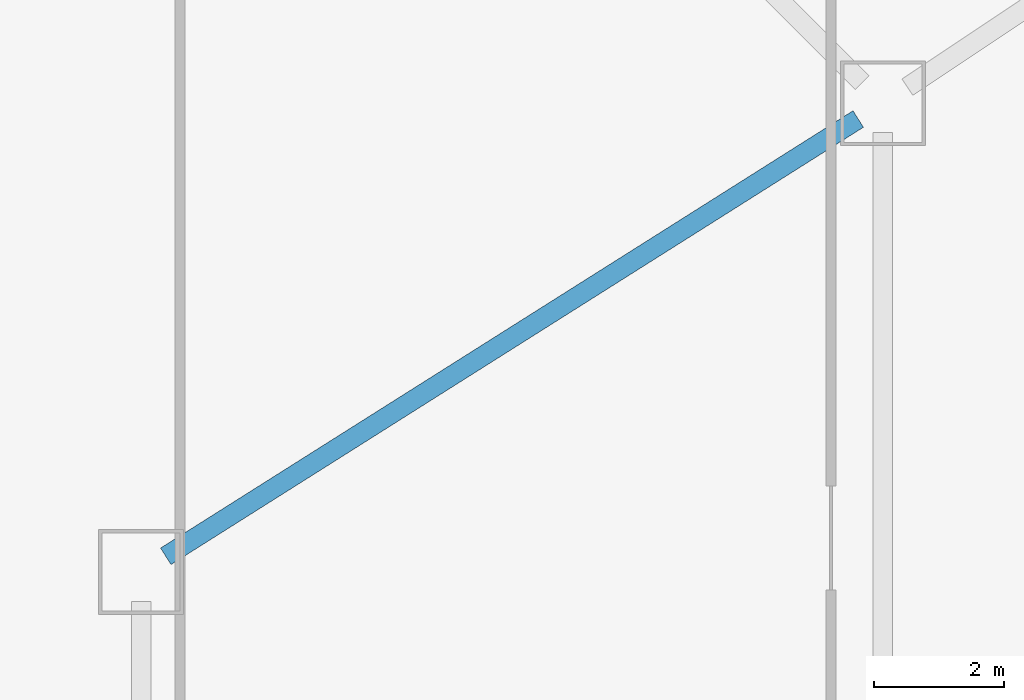
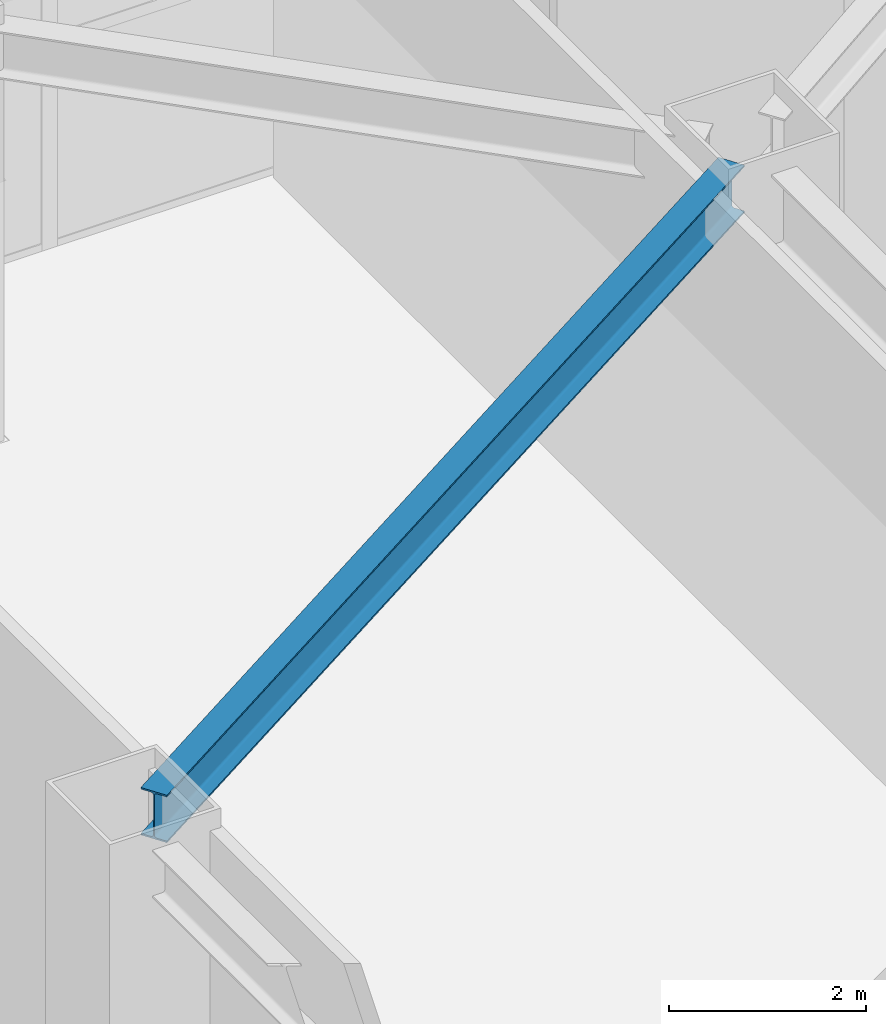
# One storey, part 13 of 37: 1 beam.
"""IFC4 building model written with IfcOpenShell, lengths in metres."""

from ifc_helpers import new_model, si_unit, direction, frame, origin, origin_2d, place, context, subcontext, project, spatial, i_section, extrude, material, material_profile, profile_set, type_object, element, save


model = new_model("IFC4")

# Units and contexts
model_context = context("Model", 3, precision=1e-05, world=origin(), true_north=direction((0.0, 1.0)))
body_context = subcontext(model_context, "Body", "Model", "MODEL_VIEW")
ifc_project = project(units=[si_unit("LENGTHUNIT", "METRE"), si_unit("AREAUNIT", "SQUARE_METRE"), si_unit("VOLUMEUNIT", "CUBIC_METRE"), si_unit("PLANEANGLEUNIT", "RADIAN"), si_unit("MASSUNIT", "GRAM", prefix="KILO")], contexts=[model_context])

# Site, building, storey
site_placement = place(None, origin())
site = spatial("IfcSite", under=ifc_project, at=site_placement, CompositionType="ELEMENT")
building_placement = place(site_placement, origin())
building = spatial("IfcBuilding", under=site, at=building_placement, Name="Haolan Belvedere Tower", CompositionType="ELEMENT")
storey_placement = place(building_placement, frame((0.0, 0.0, 10.199951171875)))
storey = spatial("IfcBuildingStorey", under=building, at=storey_placement, Name="L02", CompositionType="ELEMENT", Elevation=10.199951171875)

# Beam
ifc_material = material(Name="Steel Q355B", Category="steel")
ifc_material_profile = material_profile(ifc_material, i_section(OverallWidth=0.300048828125, OverallDepth=0.587890625, WebThickness=0.011962890625, FlangeThickness=0.02001953125, FilletRadius=0.028076171875, at=origin_2d()), Name="Steel Q355B")
ifc_profile_set = profile_set([ifc_material_profile], Name="Steel Q355B")
beam_type = type_object("IfcBeamType", Name="BM-HM588x300x12x20", PredefinedType="SPANDREL", material=ifc_profile_set)
beam_placement = place(storey_placement, frame((12.98046875, 38.640380859375, 4.865966796875), z_axis=(0.845497201575, 0.5339798518, 0.0), x_axis=(-0.5339798518, 0.845497201575, 0.0)))
element("IfcBeam", 1, at=beam_placement, inside=storey, type_object=beam_type, Name="L02 spandrel girder MC-T2-NW-MC-T3-NW", PredefinedType="SPANDREL", context=body_context, shape_type="SweptSolid", body=[
    extrude(i_section(OverallWidth=0.300048828125, OverallDepth=0.587890625, WebThickness=0.011962890625, FlangeThickness=0.02001953125, FilletRadius=0.028076171875, at=origin_2d()), origin(), (0.0, 0.0, 1.0), 12.583251953125),
])

save(model, "model.ifc")
